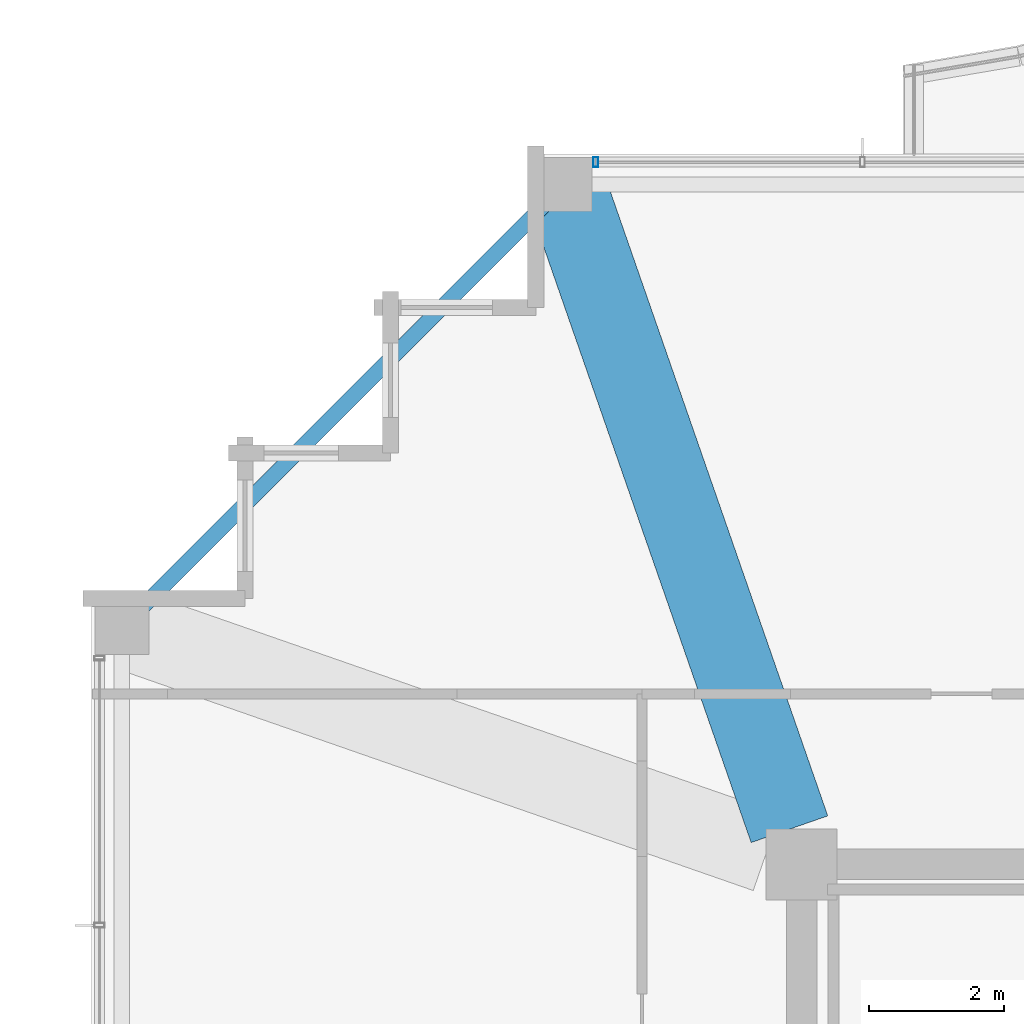
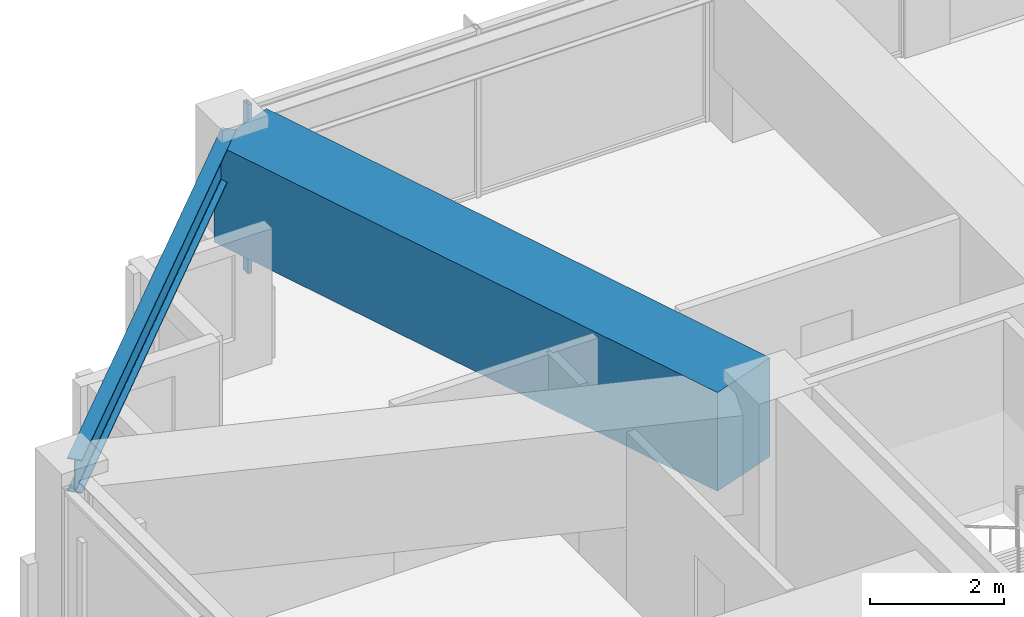
# One storey, part 17 of 37: 2 beams, 1 member, 1 element without a shape of its own.
"""IFC4 building model written with IfcOpenShell, lengths in metres."""

from ifc_helpers import new_model, si_unit, direction, frame, origin, origin_2d, place, context, subcontext, project, spatial, rectangle, hollow_rectangle, i_section, extrude, material, material_profile, profile_set, type_object, element, aggregate, save


model = new_model("IFC4")

# Units and contexts
model_context = context("Model", 3, precision=1e-05, world=origin(), true_north=direction((0.0, 1.0)))
body_context = subcontext(model_context, "Body", "Model", "MODEL_VIEW")
ifc_project = project(units=[si_unit("LENGTHUNIT", "METRE"), si_unit("AREAUNIT", "SQUARE_METRE"), si_unit("VOLUMEUNIT", "CUBIC_METRE"), si_unit("PLANEANGLEUNIT", "RADIAN"), si_unit("MASSUNIT", "GRAM", prefix="KILO")], contexts=[model_context])

# Site, building, storey
site_placement = place(None, origin())
site = spatial("IfcSite", under=ifc_project, at=site_placement, CompositionType="ELEMENT")
building_placement = place(site_placement, origin())
building = spatial("IfcBuilding", under=site, at=building_placement, Name="Kolvaren Belvedere", CompositionType="ELEMENT")
storey_placement = place(building_placement, frame((0.0, 0.0, 219.60009765625)))
storey = spatial("IfcBuildingStorey", under=building, at=storey_placement, Name="L64", CompositionType="ELEMENT", Elevation=219.60009765625)

# Beams
ifc_material_1 = material(Name="Structural steel ASTM A992 Grade 50", Category="steel")
ifc_material_profile_1 = material_profile(ifc_material_1, i_section(OverallWidth=0.22900390625, OverallDepth=0.612060546875, WebThickness=0.011962890625, FlangeThickness=0.01953125, FilletRadius=0.01806640625, at=origin_2d()), Name="W24X84")
ifc_profile_set_1 = profile_set([ifc_material_profile_1], Name="Structural steel ASTM A992 Grade 50")
beam_type_1 = type_object("IfcBeamType", Name="BM-SPAN-W24X84", PredefinedType="SPANDREL", material=ifc_profile_set_1)
beam_1_placement = place(storey_placement, frame((-13.52734375, 19.82275390625, 2.77392578125), z_axis=(-0.707106781187, -0.707106781187, 0.0), x_axis=(0.707106781187, -0.707106781187, 0.0)))
element("IfcBeam", 1, at=beam_1_placement, inside=storey, type_object=beam_type_1, Name="L64 Perimeter Spandrel N1-W4", PredefinedType="SPANDREL", context=body_context, shape_type="SweptSolid", body=[
    extrude(i_section(OverallWidth=0.22900390625, OverallDepth=0.612060546875, WebThickness=0.011962890625, FlangeThickness=0.01953125, FilletRadius=0.01806640625, at=origin_2d()), origin(), (0.0, 0.0, 1.0), 8.903076171875),
])
ifc_material_2 = material(Name="Concrete C50/60", Category="concrete")
ifc_material_profile_2 = material_profile(ifc_material_2, rectangle(XDim=1.199951171875, YDim=1.800048828125, at=origin_2d()), Name="RC 1200X1800")
ifc_profile_set_2 = profile_set([ifc_material_profile_2], Name="Concrete C50/60")
beam_type_2 = type_object("IfcBeamType", Name="BM-TG-1800", PredefinedType="BEAM", material=ifc_profile_set_2)
beam_2_placement = place(storey_placement, frame((-10.080810546875, 10.41943359375, 2.179931640625), z_axis=(-0.328898147971, 0.944365399758, 0.0), x_axis=(-0.944365399758, -0.328898147971, 0.0)))
element("IfcBeam", 2, at=beam_2_placement, inside=storey, type_object=beam_type_2, Name="L64 Corner Core-to-Perimeter Girder CC4-N1", PredefinedType="BEAM", context=body_context, shape_type="SweptSolid", body=[
    extrude(rectangle(XDim=1.199951171875, YDim=1.800048828125, at=origin_2d()), origin(), (0.0, 0.0, 1.0), 9.931884765625),
])

# Curtain wall, member
ifc_material_3 = material(Name="Anodised pale-metal aluminium AA 6063-T6", Category="aluminium")
curtain_wall_type = type_object("IfcCurtainWallType", Name="CW-Z5-HIGH", PredefinedType="NOTDEFINED", material=ifc_material_3)
curtain_wall_placement = place(storey_placement, origin())
curtain_wall = element("IfcCurtainWall", 3, at=curtain_wall_placement, inside=storey, type_object=curtain_wall_type, Name="L64 Unitised Curtain Wall FCW-L64-N1-B1", PredefinedType="NOTDEFINED")
ifc_material_4 = material(Name="Anodised pale-metal aluminium AA 6063-T6", Category="aluminium")
ifc_material_profile_3 = material_profile(ifc_material_4, hollow_rectangle(XDim=0.070068359375, YDim=0.14990234375, WallThickness=0.004150390625, at=origin_2d()), Name="ALU-MUL-150X70")
ifc_profile_set_3 = profile_set([ifc_material_profile_3], Name="Anodised pale-metal aluminium AA 6063-T6")
member_type = type_object("IfcMemberType", Name="CW-MUL-150", PredefinedType="MULLION", material=ifc_profile_set_3)
member_placement = place(storey_placement, frame((-12.945068359375, 20.280029296875, 0.0), z_axis=(0.0, 0.0, 1.0), x_axis=(1.0, 0.0, 0.0)))
member = element("IfcMember", 4, at=member_placement, type_object=member_type, Name="FCW-L64-N1-B1 Unitised Mullion 1", PredefinedType="MULLION", context=body_context, shape_type="SweptSolid", body=[
    extrude(hollow_rectangle(XDim=0.070068359375, YDim=0.14990234375, WallThickness=0.004150390625, at=origin_2d()), origin(), (0.0, 0.0, 1.0), 3.079833984375),
])
aggregate(curtain_wall, [member])

save(model, "model.ifc")
